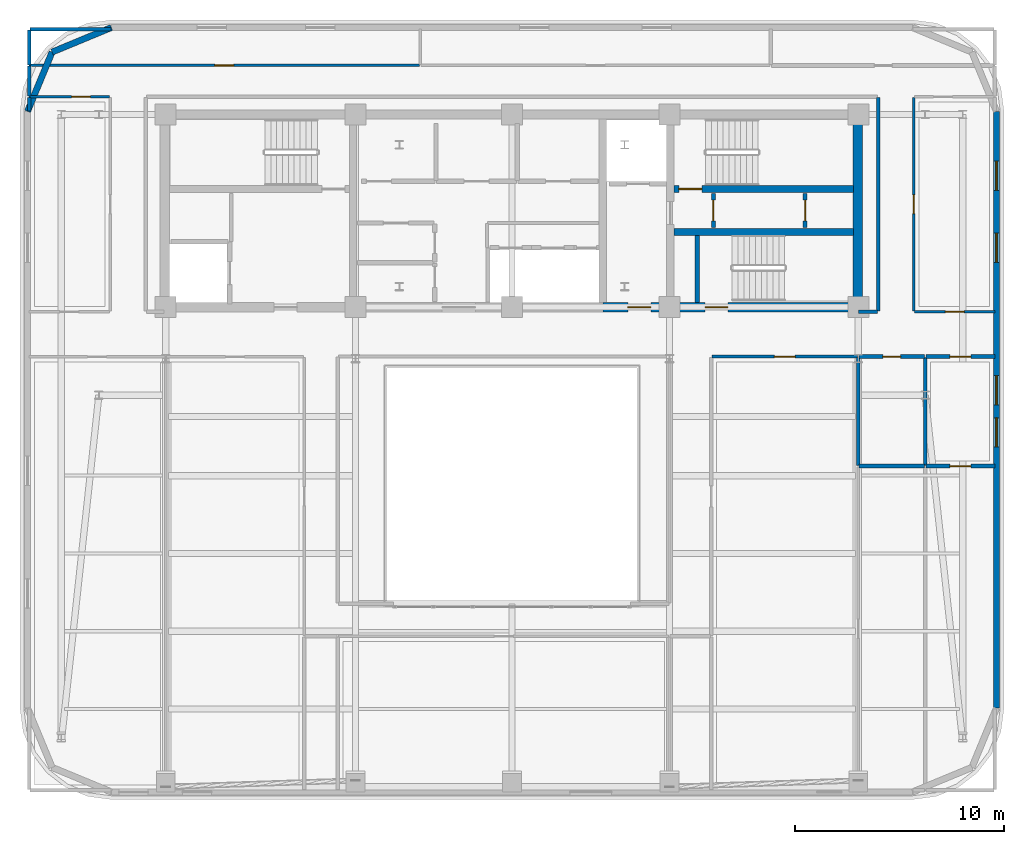
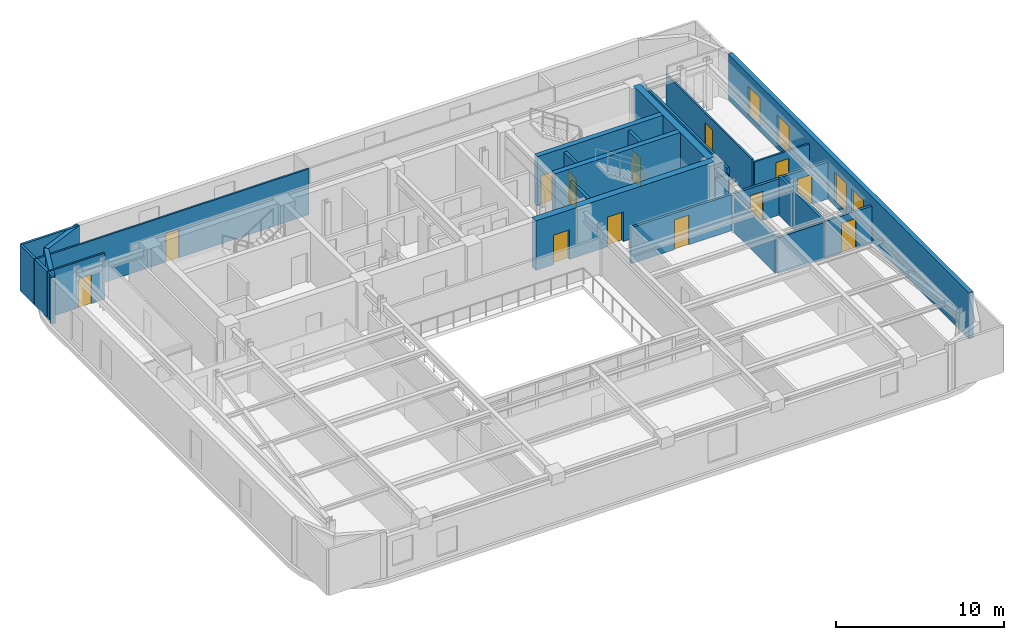
# One storey, part 8 of 13: 27 walls, 13 doors, 4 windows, 17 openings.
"""IFC4 building model written with IfcOpenShell, lengths in metres."""

from ifc_helpers import new_model, si_unit, direction, frame, frame_2d, origin, place, context, subcontext, project, spatial, rectangle, extrude, material, layer, layer_set, type_object, element, fill, save


model = new_model("IFC4")

# Units and contexts
model_context = context("Model", 3, precision=1e-05, world=origin(), true_north=direction((0.0, 1.0)))
body_context = subcontext(model_context, "Body", "Model", "MODEL_VIEW")
ifc_project = project(units=[si_unit("LENGTHUNIT", "METRE"), si_unit("AREAUNIT", "SQUARE_METRE"), si_unit("VOLUMEUNIT", "CUBIC_METRE"), si_unit("PLANEANGLEUNIT", "RADIAN"), si_unit("MASSUNIT", "GRAM", prefix="KILO")], contexts=[model_context])

# Site, building, storey
site_placement = place(None, origin())
site = spatial("IfcSite", under=ifc_project, at=site_placement, CompositionType="ELEMENT")
building_placement = place(site_placement, origin())
building = spatial("IfcBuilding", under=site, at=building_placement, Name="Zarnavel Station Tower", CompositionType="ELEMENT")
storey_placement = place(building_placement, frame((0.0, 0.0, 232.800048828125)))
storey = spatial("IfcBuildingStorey", under=building, at=storey_placement, Name="L63", CompositionType="ELEMENT", Elevation=232.800048828125)

# Wall, opening, door
ifc_material_1 = material(Name="Concrete C50/60", Category="concrete")
ifc_layer_1 = layer(ifc_material_1, 0.35009765625)
ifc_layer_set_1 = layer_set([ifc_layer_1], Name="CW_350")
wall_type_1 = type_object("IfcWallType", Name="CW_350", PredefinedType="SHEAR", material=ifc_layer_set_1)
wall_1_placement = place(storey_placement, frame((45.155029296875, 33.47998046875, 0.0), z_axis=(0.0, 0.0, 1.0), x_axis=(-1.0, 0.0, 0.0)))
wall_1 = element("IfcWall", 1, at=wall_1_placement, inside=storey, type_object=wall_type_1, Name="L63 Rear Core Shear Wall DIV-H2", PredefinedType="SHEAR", context=body_context, shape_type="SweptSolid", body=[
    extrude(rectangle(XDim=8.60009765625, YDim=0.35009765625, at=frame_2d((4.300048828125, 0.0))), origin(), (0.0, 0.0, 1.0), 3.599853515625),
])
opening_1_placement = place(wall_1_placement, frame((7.2548828125, 0.0, 0.0)))
opening_1 = element("IfcOpeningElement", 2, at=opening_1_placement, cuts=wall_1, Name="Opening FD01", PredefinedType="OPENING", context=body_context, shape_type="SweptSolid", body=[
    extrude(rectangle(XDim=1.10009765625, YDim=2.14990234375, at=frame_2d((0.550048828125, 1.074951171875))), frame((0.0, 0.18505859375, 0.0), z_axis=(0.0, -1.0, 0.0), x_axis=(1.0, 0.0, 0.0)), (0.0, 0.0, 1.0), 0.3701171875),
])
ifc_material_2 = material(Name="Painted Galvanised Steel and Hardwood Leaf", Category="steel")
door_type_1 = type_object("IfcDoorType", Name="ID_STAIR_1100", OperationType="NOTDEFINED", PredefinedType="DOOR", material=ifc_material_2)
door_1_placement = place(opening_1_placement, origin())
door_1 = element("IfcDoor", 3, at=door_1_placement, inside=storey, type_object=door_type_1, Name="L63 Stair ST2 Lobby Fire Door", OperationType="SINGLE_SWING_RIGHT", OverallHeight=2.14990234375, OverallWidth=1.10009765625, PredefinedType="DOOR", context=body_context, shape_type="SweptSolid", body=[
    extrude(rectangle(XDim=1.10009765625, YDim=2.14990234375, at=frame_2d((0.550048828125, 1.074951171875))), frame((0.0, 0.02490234375, 0.0), z_axis=(0.0, -1.0, 0.0), x_axis=(1.0, 0.0, 0.0)), (0.0, 0.0, 1.0), 0.050048828125),
])
fill(opening_1, door_1)

# Wall
wall_2_placement = place(storey_placement, frame((36.554931640625, 31.419921875, 0.0), z_axis=(0.0, 0.0, 1.0), x_axis=(1.0, 0.0, 0.0)))
element("IfcWall", 4, at=wall_2_placement, inside=storey, type_object=wall_type_1, Name="L63 Rear Core Shear Wall DIV-H3", PredefinedType="SHEAR", context=body_context, shape_type="SweptSolid", body=[
    extrude(rectangle(XDim=8.60009765625, YDim=0.35009765625, at=frame_2d((4.300048828125, 0.0))), origin(), (0.0, 0.0, 1.0), 3.599853515625),
])

# Wall, openings, doors
ifc_material_3 = material(Name="Concrete C50/60", Category="concrete")
ifc_layer_2 = layer(ifc_material_3, 0.449951171875)
ifc_layer_set_2 = layer_set([ifc_layer_2], Name="CW_450")
wall_type_2 = type_object("IfcWallType", Name="CW_450", PredefinedType="SHEAR", material=ifc_layer_set_2)
wall_3_placement = place(storey_placement, frame((45.3798828125, 27.820068359375, 0.0), z_axis=(0.0, 0.0, 1.0), x_axis=(-1.0, 0.0, 0.0)))
wall_3 = element("IfcWall", 5, at=wall_3_placement, inside=storey, type_object=wall_type_2, Name="L63 Rear Core Shear Wall S-E", PredefinedType="SHEAR", context=body_context, shape_type="SweptSolid", body=[
    extrude(rectangle(XDim=12.22998046875, YDim=0.449951171875, at=frame_2d((6.114990234375, 0.0))), origin(), (0.0, 0.0, 1.0), 3.599853515625),
])
opening_2_placement = place(wall_3_placement, frame((9.929931640625, 0.0, 0.0)))
opening_2 = element("IfcOpeningElement", 6, at=opening_2_placement, cuts=wall_3, Name="Opening FD01", PredefinedType="OPENING", context=body_context, shape_type="SweptSolid", body=[
    extrude(rectangle(XDim=1.10009765625, YDim=2.14990234375, at=frame_2d((0.550048828125, 1.074951171875))), frame((0.0, 0.23486328125, 0.0), z_axis=(0.0, -1.0, 0.0), x_axis=(1.0, 0.0, 0.0)), (0.0, 0.0, 1.0), 0.469970703125),
])
opening_3_placement = place(wall_3_placement, frame((6.22998046875, 0.0, 0.0)))
opening_3 = element("IfcOpeningElement", 7, at=opening_3_placement, cuts=wall_3, Name="Opening FD01", PredefinedType="OPENING", context=body_context, shape_type="SweptSolid", body=[
    extrude(rectangle(XDim=1.10009765625, YDim=2.14990234375, at=frame_2d((0.550048828125, 1.074951171875))), frame((0.0, 0.23486328125, 0.0), z_axis=(0.0, -1.0, 0.0), x_axis=(1.0, 0.0, 0.0)), (0.0, 0.0, 1.0), 0.469970703125),
])
door_2_placement = place(opening_2_placement, origin())
door_2 = element("IfcDoor", 8, at=door_2_placement, inside=storey, type_object=door_type_1, Name="L63 East Firefighting Lobby Door", OperationType="SINGLE_SWING_LEFT", OverallHeight=2.14990234375, OverallWidth=1.10009765625, PredefinedType="DOOR", context=body_context, shape_type="SweptSolid", body=[
    extrude(rectangle(XDim=1.10009765625, YDim=2.14990234375, at=frame_2d((0.550048828125, 1.074951171875))), frame((0.0, 0.02490234375, 0.0), z_axis=(0.0, -1.0, 0.0), x_axis=(1.0, 0.0, 0.0)), (0.0, 0.0, 1.0), 0.050048828125),
])
fill(opening_2, door_2)
door_3_placement = place(opening_3_placement, origin())
door_3 = element("IfcDoor", 9, at=door_3_placement, inside=storey, type_object=door_type_1, Name="L63 Stair ST3 Corridor Fire Door", OperationType="SINGLE_SWING_RIGHT", OverallHeight=2.14990234375, OverallWidth=1.10009765625, PredefinedType="DOOR", context=body_context, shape_type="SweptSolid", body=[
    extrude(rectangle(XDim=1.10009765625, YDim=2.14990234375, at=frame_2d((0.550048828125, 1.074951171875))), frame((0.0, 0.02490234375, 0.0), z_axis=(0.0, -1.0, 0.0), x_axis=(1.0, 0.0, 0.0)), (0.0, 0.0, 1.0), 0.050048828125),
])
fill(opening_3, door_3)

# Wall
wall_4_placement = place(storey_placement, frame((45.3798828125, 28.044921875, 0.0), z_axis=(0.0, 0.0, 1.0), x_axis=(0.0, 1.0, 0.0)))
element("IfcWall", 10, at=wall_4_placement, inside=storey, type_object=wall_type_2, Name="L63 Rear Core Shear Wall E", PredefinedType="SHEAR", context=body_context, shape_type="SweptSolid", body=[
    extrude(rectangle(XDim=8.780029296875, YDim=0.449951171875, at=frame_2d((4.39013671875, 0.0))), origin(), (0.0, 0.0, 1.0), 3.599853515625),
])

# Wall, openings, windows
ifc_material_4 = material(Name="Precast concrete C45/55 (Dark Basalt Finish)", Category="masonry")
ifc_layer_3 = layer(ifc_material_4, 0.300048828125)
ifc_layer_set_3 = layer_set([ifc_layer_3], Name="EW_BASALT_300")
wall_type_3 = type_object("IfcWallType", Name="EW_BASALT_300", PredefinedType="SOLIDWALL", material=ifc_layer_set_3)
wall_5_placement = place(storey_placement, frame((52.02001953125, 37.199951171875, 0.0), z_axis=(0.0, 0.0, 1.0), x_axis=(0.0, -1.0, 0.0)))
wall_5 = element("IfcWall", 11, at=wall_5_placement, inside=storey, type_object=wall_type_3, Name="L63 Exterior Basalt Masonry Frame Wall 03", PredefinedType="SOLIDWALL", context=body_context, shape_type="SweptSolid", body=[
    extrude(rectangle(XDim=28.599853515625, YDim=0.300048828125, at=frame_2d((14.2998046875, 0.0))), origin(), (0.0, 0.0, 1.0), 3.33984375),
])
opening_4_placement = place(wall_5_placement, frame((2.3798828125, 0.0, 0.340087890625)))
opening_4 = element("IfcOpeningElement", 12, at=opening_4_placement, cuts=wall_5, Name="Opening WN04", PredefinedType="OPENING", context=body_context, shape_type="SweptSolid", body=[
    extrude(rectangle(XDim=1.39990234375, YDim=2.10009765625, at=frame_2d((0.699951171875, 1.050048828125))), frame((0.0, 0.159912109375, 0.0), z_axis=(0.0, -1.0, 0.0), x_axis=(1.0, 0.0, 0.0)), (0.0, 0.0, 1.0), 0.320068359375),
])
opening_5_placement = place(wall_5_placement, frame((5.840087890625, 0.0, 0.340087890625)))
opening_5 = element("IfcOpeningElement", 13, at=opening_5_placement, cuts=wall_5, Name="Opening WN04", PredefinedType="OPENING", context=body_context, shape_type="SweptSolid", body=[
    extrude(rectangle(XDim=1.39990234375, YDim=2.10009765625, at=frame_2d((0.699951171875, 1.050048828125))), frame((0.0, 0.159912109375, 0.0), z_axis=(0.0, -1.0, 0.0), x_axis=(1.0, 0.0, 0.0)), (0.0, 0.0, 1.0), 0.320068359375),
])
opening_6_placement = place(wall_5_placement, frame((12.666748046875, 0.0, 0.340087890625)))
opening_6 = element("IfcOpeningElement", 14, at=opening_6_placement, cuts=wall_5, Name="Opening WN04", PredefinedType="OPENING", context=body_context, shape_type="SweptSolid", body=[
    extrude(rectangle(XDim=1.39990234375, YDim=2.10009765625, at=frame_2d((0.699951171875, 1.050048828125))), frame((0.0, 0.159912109375, 0.0), z_axis=(0.0, -1.0, 0.0), x_axis=(1.0, 0.0, 0.0)), (0.0, 0.0, 1.0), 0.320068359375),
])
opening_7_placement = place(wall_5_placement, frame((14.683349609375, 0.0, 0.340087890625)))
opening_7 = element("IfcOpeningElement", 15, at=opening_7_placement, cuts=wall_5, Name="Opening WN04", PredefinedType="OPENING", context=body_context, shape_type="SweptSolid", body=[
    extrude(rectangle(XDim=1.39990234375, YDim=2.10009765625, at=frame_2d((0.699951171875, 1.050048828125))), frame((0.0, 0.159912109375, 0.0), z_axis=(0.0, -1.0, 0.0), x_axis=(1.0, 0.0, 0.0)), (0.0, 0.0, 1.0), 0.320068359375),
])
ifc_material_5 = material(Name="Thermally Broken Black Aluminium and Low-E Dark Glass", Category="aluminium")
window_type = type_object("IfcWindowType", Name="WN_1400x2100", PartitioningType="DOUBLE_PANEL_VERTICAL", PredefinedType="WINDOW", material=ifc_material_5)
window_1_placement = place(opening_4_placement, origin())
window_1 = element("IfcWindow", 16, at=window_1_placement, inside=storey, type_object=window_type, Name="L63 Recessed Facade Window 01", OverallHeight=2.10009765625, OverallWidth=1.39990234375, PartitioningType="SINGLE_PANEL", PredefinedType="WINDOW", context=body_context, shape_type="SweptSolid", body=[
    extrude(rectangle(XDim=1.39990234375, YDim=2.10009765625, at=frame_2d((0.699951171875, 1.050048828125))), frame((0.0, 0.030029296875, 0.0), z_axis=(0.0, -1.0, 0.0), x_axis=(1.0, 0.0, 0.0)), (0.0, 0.0, 1.0), 0.06005859375),
])
fill(opening_4, window_1)
window_2_placement = place(opening_5_placement, origin())
window_2 = element("IfcWindow", 17, at=window_2_placement, inside=storey, type_object=window_type, Name="L63 Recessed Facade Window 02", OverallHeight=2.10009765625, OverallWidth=1.39990234375, PartitioningType="SINGLE_PANEL", PredefinedType="WINDOW", context=body_context, shape_type="SweptSolid", body=[
    extrude(rectangle(XDim=1.39990234375, YDim=2.10009765625, at=frame_2d((0.699951171875, 1.050048828125))), frame((0.0, 0.030029296875, 0.0), z_axis=(0.0, -1.0, 0.0), x_axis=(1.0, 0.0, 0.0)), (0.0, 0.0, 1.0), 0.06005859375),
])
fill(opening_5, window_2)
window_3_placement = place(opening_6_placement, origin())
window_3 = element("IfcWindow", 18, at=window_3_placement, inside=storey, type_object=window_type, Name="L63 Recessed Facade Window 03", OverallHeight=2.10009765625, OverallWidth=1.39990234375, PartitioningType="SINGLE_PANEL", PredefinedType="WINDOW", context=body_context, shape_type="SweptSolid", body=[
    extrude(rectangle(XDim=1.39990234375, YDim=2.10009765625, at=frame_2d((0.699951171875, 1.050048828125))), frame((0.0, 0.030029296875, 0.0), z_axis=(0.0, -1.0, 0.0), x_axis=(1.0, 0.0, 0.0)), (0.0, 0.0, 1.0), 0.06005859375),
])
fill(opening_6, window_3)
window_4_placement = place(opening_7_placement, origin())
window_4 = element("IfcWindow", 19, at=window_4_placement, inside=storey, type_object=window_type, Name="L63 Recessed Facade Window 04", OverallHeight=2.10009765625, OverallWidth=1.39990234375, PartitioningType="SINGLE_PANEL", PredefinedType="WINDOW", context=body_context, shape_type="SweptSolid", body=[
    extrude(rectangle(XDim=1.39990234375, YDim=2.10009765625, at=frame_2d((0.699951171875, 1.050048828125))), frame((0.0, 0.030029296875, 0.0), z_axis=(0.0, -1.0, 0.0), x_axis=(1.0, 0.0, 0.0)), (0.0, 0.0, 1.0), 0.06005859375),
])
fill(opening_7, window_4)

# Walls
wall_6_placement = place(storey_placement, frame((6.75732421875, 40.04248046875, 0.0), z_axis=(0.0, 0.0, 1.0), x_axis=(0.923882414032, 0.382676475685, 0.0)))
element("IfcWall", 20, at=wall_6_placement, inside=storey, type_object=wall_type_3, Name="L63 Exterior Basalt Masonry Frame Wall 07", PredefinedType="SOLIDWALL", context=body_context, shape_type="SweptSolid", body=[
    extrude(rectangle(XDim=3.076904296875, YDim=0.300048828125, at=frame_2d((1.53857421875, 0.0))), origin(), (0.0, 0.0, 1.0), 3.33984375),
])
wall_7_placement = place(storey_placement, frame((5.580078125, 37.199951171875, 0.0), z_axis=(0.0, 0.0, 1.0), x_axis=(0.382636798336, 0.92389884758, 0.0)))
element("IfcWall", 21, at=wall_7_placement, inside=storey, type_object=wall_type_3, Name="L63 Exterior Basalt Masonry Frame Wall 08", PredefinedType="SOLIDWALL", context=body_context, shape_type="SweptSolid", body=[
    extrude(rectangle(XDim=3.07666015625, YDim=0.300048828125, at=frame_2d((1.538330078125, 0.0))), origin(), (0.0, 0.0, 1.0), 3.33984375),
])

# Wall, opening, door
ifc_material_6 = material(Name="Gypsum Twin-Stud Acoustic Fire Partition", Category="concrete")
ifc_layer_4 = layer(ifc_material_6, 0.159912109375)
ifc_layer_set_4 = layer_set([ifc_layer_4], Name="PT_DEMISE_160")
wall_type_4 = type_object("IfcWallType", Name="PT_DEMISE_160", PredefinedType="PARTITIONING", material=ifc_layer_set_4)
wall_8_placement = place(storey_placement, frame((38.389892578125, 25.449951171875, 0.0), z_axis=(0.0, 0.0, 1.0), x_axis=(1.0, 0.0, 0.0)))
wall_8 = element("IfcWall", 22, at=wall_8_placement, inside=storey, type_object=wall_type_4, Name="L63 Partition COR-S-L63SPA", PredefinedType="PARTITIONING", context=body_context, shape_type="SweptSolid", body=[
    extrude(rectangle(XDim=6.97021484375, YDim=0.159912109375, at=frame_2d((3.485107421875, 0.0))), origin(), (0.0, 0.0, 1.0), 2.619873046875),
])
opening_8_placement = place(wall_8_placement, frame((2.985107421875, 0.0, 0.0)))
opening_8 = element("IfcOpeningElement", 23, at=opening_8_placement, cuts=wall_8, Name="Opening FD02", PredefinedType="OPENING", context=body_context, shape_type="SweptSolid", body=[
    extrude(rectangle(XDim=1.0, YDim=2.14990234375, at=frame_2d((0.5, 1.074951171875))), frame((0.0, 0.08984375, 0.0), z_axis=(0.0, -1.0, 0.0), x_axis=(1.0, 0.0, 0.0)), (0.0, 0.0, 1.0), 0.179931640625),
])
ifc_material_7 = material(Name="Painted Galvanised Steel and Hardwood Leaf", Category="steel")
door_type_2 = type_object("IfcDoorType", Name="ID_ENTRY_1000", OperationType="NOTDEFINED", PredefinedType="DOOR", material=ifc_material_7)
door_4_placement = place(opening_8_placement, origin())
door_4 = element("IfcDoor", 24, at=door_4_placement, inside=storey, type_object=door_type_2, Name="L63 Door COR-S-L63SPA", OperationType="SINGLE_SWING_LEFT", OverallHeight=2.14990234375, OverallWidth=1.0, PredefinedType="DOOR", context=body_context, shape_type="SweptSolid", body=[
    extrude(rectangle(XDim=1.0, YDim=2.14990234375, at=frame_2d((0.5, 1.074951171875))), frame((0.0, 0.02490234375, 0.0), z_axis=(0.0, -1.0, 0.0), x_axis=(1.0, 0.0, 0.0)), (0.0, 0.0, 1.0), 0.050048828125),
])
fill(opening_8, door_4)

# Walls
wall_9_placement = place(storey_placement, frame((45.409912109375, 27.60009765625, 0.0), z_axis=(0.0, 0.0, 1.0), x_axis=(1.0, 0.0, 0.0)))
element("IfcWall", 25, at=wall_9_placement, inside=storey, type_object=wall_type_4, Name="L63 Enclosure Wall COR-S", PredefinedType="PARTITIONING", context=body_context, shape_type="SweptSolid", body=[
    extrude(rectangle(XDim=0.91015625, YDim=0.159912109375, at=frame_2d((0.455078125, 0.0))), origin(), (0.0, 0.0, 1.0), 2.409912109375),
])
wall_10_placement = place(storey_placement, frame((46.35009765625, 27.6298828125, 0.0), z_axis=(0.0, 0.0, 1.0), x_axis=(0.0, 1.0, 0.0)))
element("IfcWall", 26, at=wall_10_placement, inside=storey, type_object=wall_type_4, Name="L63 Enclosure Wall COR-E", PredefinedType="PARTITIONING", context=body_context, shape_type="SweptSolid", body=[
    extrude(rectangle(XDim=10.240234375, YDim=0.159912109375, at=frame_2d((5.1201171875, 0.0))), origin(), (0.0, 0.0, 1.0), 2.820068359375),
])
wall_11_placement = place(storey_placement, frame((5.659912109375, 37.929931640625, 0.0), z_axis=(0.0, 0.0, 1.0), x_axis=(0.0, 1.0, 0.0)))
element("IfcWall", 27, at=wall_11_placement, inside=storey, type_object=wall_type_4, Name="L63 Enclosure Wall COR-N", PredefinedType="PARTITIONING", context=body_context, shape_type="SweptSolid", body=[
    extrude(rectangle(XDim=1.440185546875, YDim=0.159912109375, at=frame_2d((0.72021484375, 0.0))), origin(), (0.0, 0.0, 1.0), 3.33984375),
])
wall_12_placement = place(storey_placement, frame((5.659912109375, 37.22998046875, 0.0), z_axis=(0.0, 0.0, 1.0), x_axis=(0.0, 1.0, 0.0)))
element("IfcWall", 28, at=wall_12_placement, inside=storey, type_object=wall_type_4, Name="L63 Enclosure Wall FNW", PredefinedType="PARTITIONING", context=body_context, shape_type="SweptSolid", body=[
    extrude(rectangle(XDim=0.64013671875, YDim=0.159912109375, at=frame_2d((0.320068359375, 0.0))), origin(), (0.0, 0.0, 1.0), 3.33984375),
])
wall_13_placement = place(storey_placement, frame((5.68994140625, 41.139892578125, 0.0), z_axis=(0.0, 0.0, 1.0), x_axis=(1.0, 0.0, 0.0)))
element("IfcWall", 29, at=wall_13_placement, inside=storey, type_object=wall_type_4, Name="L63 Enclosure Wall NLIB", PredefinedType="PARTITIONING", context=body_context, shape_type="SweptSolid", body=[
    extrude(rectangle(XDim=3.880126953125, YDim=0.159912109375, at=frame_2d((1.93994140625, 0.0))), origin(), (0.0, 0.0, 1.0), 3.33984375),
])
wall_14_placement = place(storey_placement, frame((5.659912109375, 39.429931640625, 0.0), z_axis=(0.0, 0.0, 1.0), x_axis=(0.0, 1.0, 0.0)))
element("IfcWall", 30, at=wall_14_placement, inside=storey, type_object=wall_type_4, Name="L63 Enclosure Wall NLIB", PredefinedType="PARTITIONING", context=body_context, shape_type="SweptSolid", body=[
    extrude(rectangle(XDim=1.68017578125, YDim=0.159912109375, at=frame_2d((0.840087890625, 0.0))), origin(), (0.0, 0.0, 1.0), 3.33984375),
])

# Wall, opening, door
ifc_material_8 = material(Name="Gypsum Metal-Stud Interior Partition", Category="concrete")
ifc_layer_5 = layer(ifc_material_8, 0.1201171875)
ifc_layer_set_5 = layer_set([ifc_layer_5], Name="PT_ROOM_120")
wall_type_5 = type_object("IfcWallType", Name="PT_ROOM_120", PredefinedType="PARTITIONING", material=ifc_layer_set_5)
wall_15_placement = place(storey_placement, frame((48.090087890625, 27.60009765625, 0.0), z_axis=(0.0, 0.0, 1.0), x_axis=(1.0, 0.0, 0.0)))
wall_15 = element("IfcWall", 31, at=wall_15_placement, inside=storey, type_object=wall_type_5, Name="L63 Partition COR-S-FNE", PredefinedType="PARTITIONING", context=body_context, shape_type="SweptSolid", body=[
    extrude(rectangle(XDim=3.849853515625, YDim=0.1201171875, at=frame_2d((1.9248046875, 0.0))), origin(), (0.0, 0.0, 1.0), 2.669921875),
])
opening_9_placement = place(wall_15_placement, frame((1.47509765625, 0.0, 0.0)))
opening_9 = element("IfcOpeningElement", 32, at=opening_9_placement, cuts=wall_15, Name="Opening ID01", PredefinedType="OPENING", context=body_context, shape_type="SweptSolid", body=[
    extrude(rectangle(XDim=0.89990234375, YDim=2.10009765625, at=frame_2d((0.449951171875, 1.050048828125))), frame((0.0, 0.070068359375, 0.0), z_axis=(0.0, -1.0, 0.0), x_axis=(1.0, 0.0, 0.0)), (0.0, 0.0, 1.0), 0.14013671875),
])
ifc_material_9 = material(Name="Painted Galvanised Steel and Hardwood Leaf", Category="steel")
door_type_3 = type_object("IfcDoorType", Name="ID_ROOM_900", OperationType="NOTDEFINED", PredefinedType="DOOR", material=ifc_material_9)
door_5_placement = place(opening_9_placement, origin())
door_5 = element("IfcDoor", 33, at=door_5_placement, inside=storey, type_object=door_type_3, Name="L63 Door COR-S-FNE", OperationType="SINGLE_SWING_RIGHT", OverallHeight=2.10009765625, OverallWidth=0.89990234375, PredefinedType="DOOR", context=body_context, shape_type="SweptSolid", body=[
    extrude(rectangle(XDim=0.89990234375, YDim=2.10009765625, at=frame_2d((0.449951171875, 1.050048828125))), frame((0.0, 0.02490234375, 0.0), z_axis=(0.0, -1.0, 0.0), x_axis=(1.0, 0.0, 0.0)), (0.0, 0.0, 1.0), 0.050048828125),
])
fill(opening_9, door_5)

wall_16_placement = place(storey_placement, frame((48.050048828125, 27.639892578125, 0.0), z_axis=(0.0, 0.0, 1.0), x_axis=(0.0, 1.0, 0.0)))
wall_16 = element("IfcWall", 34, at=wall_16_placement, inside=storey, type_object=wall_type_5, Name="L63 Partition COR-E-FNE", PredefinedType="PARTITIONING", context=body_context, shape_type="SweptSolid", body=[
    extrude(rectangle(XDim=10.22021484375, YDim=0.1201171875, at=frame_2d((5.110107421875, 0.0))), origin(), (0.0, 0.0, 1.0), 2.820068359375),
])
opening_10_placement = place(wall_16_placement, frame((4.659912109375, 0.0, 0.0)))
opening_10 = element("IfcOpeningElement", 35, at=opening_10_placement, cuts=wall_16, Name="Opening ID01", PredefinedType="OPENING", context=body_context, shape_type="SweptSolid", body=[
    extrude(rectangle(XDim=0.89990234375, YDim=2.10009765625, at=frame_2d((0.449951171875, 1.050048828125))), frame((0.0, 0.070068359375, 0.0), z_axis=(0.0, -1.0, 0.0), x_axis=(1.0, 0.0, 0.0)), (0.0, 0.0, 1.0), 0.14013671875),
])
door_6_placement = place(opening_10_placement, origin())
door_6 = element("IfcDoor", 36, at=door_6_placement, inside=storey, type_object=door_type_3, Name="L63 Door COR-E-FNE", OperationType="SINGLE_SWING_RIGHT", OverallHeight=2.10009765625, OverallWidth=0.89990234375, PredefinedType="DOOR", context=body_context, shape_type="SweptSolid", body=[
    extrude(rectangle(XDim=0.89990234375, YDim=2.10009765625, at=frame_2d((0.449951171875, 1.050048828125))), frame((0.0, 0.02490234375, 0.0), z_axis=(0.0, -1.0, 0.0), x_axis=(1.0, 0.0, 0.0)), (0.0, 0.0, 1.0), 0.050048828125),
])
fill(opening_10, door_6)

wall_17_placement = place(storey_placement, frame((5.659912109375, 37.89990234375, 0.0), z_axis=(0.0, 0.0, 1.0), x_axis=(1.0, 0.0, 0.0)))
wall_17 = element("IfcWall", 37, at=wall_17_placement, inside=storey, type_object=wall_type_5, Name="L63 Partition COR-N-FNW", PredefinedType="PARTITIONING", context=body_context, shape_type="SweptSolid", body=[
    extrude(rectangle(XDim=3.85009765625, YDim=0.1201171875, at=frame_2d((1.925048828125, 0.0))), origin(), (0.0, 0.0, 1.0), 3.33984375),
])
opening_11_placement = place(wall_17_placement, frame((2.03125, 0.0, 0.0)))
opening_11 = element("IfcOpeningElement", 38, at=opening_11_placement, cuts=wall_17, Name="Opening ID01", PredefinedType="OPENING", context=body_context, shape_type="SweptSolid", body=[
    extrude(rectangle(XDim=0.89990234375, YDim=2.10009765625, at=frame_2d((0.449951171875, 1.050048828125))), frame((0.0, 0.070068359375, 0.0), z_axis=(0.0, -1.0, 0.0), x_axis=(1.0, 0.0, 0.0)), (0.0, 0.0, 1.0), 0.14013671875),
])
door_7_placement = place(opening_11_placement, origin())
door_7 = element("IfcDoor", 39, at=door_7_placement, inside=storey, type_object=door_type_3, Name="L63 Door COR-N-FNW", OperationType="SINGLE_SWING_LEFT", OverallHeight=2.10009765625, OverallWidth=0.89990234375, PredefinedType="DOOR", context=body_context, shape_type="SweptSolid", body=[
    extrude(rectangle(XDim=0.89990234375, YDim=2.10009765625, at=frame_2d((0.449951171875, 1.050048828125))), frame((0.0, 0.02490234375, 0.0), z_axis=(0.0, -1.0, 0.0), x_axis=(1.0, 0.0, 0.0)), (0.0, 0.0, 1.0), 0.050048828125),
])
fill(opening_11, door_7)

wall_18_placement = place(storey_placement, frame((5.659912109375, 39.39990234375, 0.0), z_axis=(0.0, 0.0, 1.0), x_axis=(1.0, 0.0, 0.0)))
wall_18 = element("IfcWall", 40, at=wall_18_placement, inside=storey, type_object=wall_type_5, Name="L63 Partition COR-N-NLIB", PredefinedType="PARTITIONING", context=body_context, shape_type="SweptSolid", body=[
    extrude(rectangle(XDim=18.7001953125, YDim=0.1201171875, at=frame_2d((9.35009765625, 0.0))), origin(), (0.0, 0.0, 1.0), 3.33984375),
])
opening_12_placement = place(wall_18_placement, frame((8.89990234375, 0.0, 0.0)))
opening_12 = element("IfcOpeningElement", 41, at=opening_12_placement, cuts=wall_18, Name="Opening ID01", PredefinedType="OPENING", context=body_context, shape_type="SweptSolid", body=[
    extrude(rectangle(XDim=0.89990234375, YDim=2.10009765625, at=frame_2d((0.449951171875, 1.050048828125))), frame((0.0, 0.070068359375, 0.0), z_axis=(0.0, -1.0, 0.0), x_axis=(1.0, 0.0, 0.0)), (0.0, 0.0, 1.0), 0.14013671875),
])
door_8_placement = place(opening_12_placement, origin())
door_8 = element("IfcDoor", 42, at=door_8_placement, inside=storey, type_object=door_type_3, Name="L63 Door COR-N-NLIB", OperationType="SINGLE_SWING_LEFT", OverallHeight=2.10009765625, OverallWidth=0.89990234375, PredefinedType="DOOR", context=body_context, shape_type="SweptSolid", body=[
    extrude(rectangle(XDim=0.89990234375, YDim=2.10009765625, at=frame_2d((0.449951171875, 1.050048828125))), frame((0.0, 0.02490234375, 0.0), z_axis=(0.0, -1.0, 0.0), x_axis=(1.0, 0.0, 0.0)), (0.0, 0.0, 1.0), 0.050048828125),
])
fill(opening_12, door_8)

# Wall
ifc_material_10 = material(Name="Precast concrete C45/55 (Fire Shaft Blockwork)", Category="masonry")
ifc_layer_6 = layer(ifc_material_10, 0.199951171875)
ifc_layer_set_6 = layer_set([ifc_layer_6], Name="PT_SHAFT_200")
wall_type_6 = type_object("IfcWallType", Name="PT_SHAFT_200", PredefinedType="PARTITIONING", material=ifc_layer_set_6)
wall_19_placement = place(storey_placement, frame((37.679931640625, 28.044921875, 0.0), z_axis=(0.0, 0.0, 1.0), x_axis=(0.0, 1.0, 0.0)))
element("IfcWall", 43, at=wall_19_placement, inside=storey, type_object=wall_type_6, Name="L63 Stair ST3 West Shaft Wall", PredefinedType="PARTITIONING", context=body_context, shape_type="SweptSolid", body=[
    extrude(rectangle(XDim=3.205078125, YDim=0.199951171875, at=frame_2d((1.6025390625, 0.0))), origin(), (0.0, 0.0, 1.0), 2.719970703125),
])

# Wall, opening, door
wall_20_placement = place(storey_placement, frame((38.449951171875, 31.639892578125, 0.0), z_axis=(0.0, 0.0, 1.0), x_axis=(0.0, 1.0, 0.0)))
wall_20 = element("IfcWall", 44, at=wall_20_placement, inside=storey, type_object=wall_type_6, Name="L63 Partition ESTV-CEA", PredefinedType="PARTITIONING", context=body_context, shape_type="SweptSolid", body=[
    extrude(rectangle(XDim=1.6201171875, YDim=0.199951171875, at=frame_2d((0.81005859375, 0.0))), origin(), (0.0, 0.0, 1.0), 3.33984375),
])
opening_13_placement = place(wall_20_placement, frame((0.31005859375, 0.0, 0.0)))
opening_13 = element("IfcOpeningElement", 45, at=opening_13_placement, cuts=wall_20, Name="Opening FD02", PredefinedType="OPENING", context=body_context, shape_type="SweptSolid", body=[
    extrude(rectangle(XDim=1.0, YDim=2.14990234375, at=frame_2d((0.5, 1.074951171875))), frame((0.0, 0.10986328125, 0.0), z_axis=(0.0, -1.0, 0.0), x_axis=(1.0, 0.0, 0.0)), (0.0, 0.0, 1.0), 0.219970703125),
])
door_9_placement = place(opening_13_placement, origin())
door_9 = element("IfcDoor", 46, at=door_9_placement, inside=storey, type_object=door_type_2, Name="L63 Door ESTV-CEA", OperationType="SINGLE_SWING_LEFT", OverallHeight=2.14990234375, OverallWidth=1.0, PredefinedType="DOOR", context=body_context, shape_type="SweptSolid", body=[
    extrude(rectangle(XDim=1.0, YDim=2.14990234375, at=frame_2d((0.5, 1.074951171875))), frame((0.0, 0.02490234375, 0.0), z_axis=(0.0, -1.0, 0.0), x_axis=(1.0, 0.0, 0.0)), (0.0, 0.0, 1.0), 0.050048828125),
])
fill(opening_13, door_9)

wall_21_placement = place(storey_placement, frame((42.85009765625, 31.639892578125, 0.0), z_axis=(0.0, 0.0, 1.0), x_axis=(0.0, 1.0, 0.0)))
wall_21 = element("IfcWall", 47, at=wall_21_placement, inside=storey, type_object=wall_type_6, Name="L63 Partition CEA-CEB", PredefinedType="PARTITIONING", context=body_context, shape_type="SweptSolid", body=[
    extrude(rectangle(XDim=1.6201171875, YDim=0.199951171875, at=frame_2d((0.81005859375, 0.0))), origin(), (0.0, 0.0, 1.0), 3.33984375),
])
opening_14_placement = place(wall_21_placement, frame((0.31005859375, 0.0, 0.0)))
opening_14 = element("IfcOpeningElement", 48, at=opening_14_placement, cuts=wall_21, Name="Opening FD02", PredefinedType="OPENING", context=body_context, shape_type="SweptSolid", body=[
    extrude(rectangle(XDim=1.0, YDim=2.14990234375, at=frame_2d((0.5, 1.074951171875))), frame((0.0, 0.10986328125, 0.0), z_axis=(0.0, -1.0, 0.0), x_axis=(1.0, 0.0, 0.0)), (0.0, 0.0, 1.0), 0.219970703125),
])
door_10_placement = place(opening_14_placement, origin())
door_10 = element("IfcDoor", 49, at=door_10_placement, inside=storey, type_object=door_type_2, Name="L63 Door CEA-CEB", OperationType="SINGLE_SWING_RIGHT", OverallHeight=2.14990234375, OverallWidth=1.0, PredefinedType="DOOR", context=body_context, shape_type="SweptSolid", body=[
    extrude(rectangle(XDim=1.0, YDim=2.14990234375, at=frame_2d((0.5, 1.074951171875))), frame((0.0, 0.02490234375, 0.0), z_axis=(0.0, -1.0, 0.0), x_axis=(1.0, 0.0, 0.0)), (0.0, 0.0, 1.0), 0.050048828125),
])
fill(opening_14, door_10)

ifc_material_11 = material(Name="Moisture-Resistant Plumbing Chase Wall", Category="concrete")
ifc_layer_7 = layer(ifc_material_11, 0.179931640625)
ifc_layer_set_7 = layer_set([ifc_layer_7], Name="PW_PLUMB_180")
wall_type_7 = type_object("IfcWallType", Name="PW_PLUMB_180", PredefinedType="PLUMBINGWALL", material=ifc_layer_set_7)
wall_22_placement = place(storey_placement, frame((45.43994140625, 25.449951171875, 0.0), z_axis=(0.0, 0.0, 1.0), x_axis=(1.0, 0.0, 0.0)))
wall_22 = element("IfcWall", 50, at=wall_22_placement, inside=storey, type_object=wall_type_7, Name="L63 Partition COR-S-L63WCA", PredefinedType="PLUMBINGWALL", context=body_context, shape_type="SweptSolid", body=[
    extrude(rectangle(XDim=3.1201171875, YDim=0.179931640625, at=frame_2d((1.56005859375, 0.0))), origin(), (0.0, 0.0, 1.0), 2.619873046875),
])
opening_15_placement = place(wall_22_placement, frame((1.135009765625, 0.0, 0.0)))
opening_15 = element("IfcOpeningElement", 51, at=opening_15_placement, cuts=wall_22, Name="Opening ID02", PredefinedType="OPENING", context=body_context, shape_type="SweptSolid", body=[
    extrude(rectangle(XDim=0.85009765625, YDim=2.10009765625, at=frame_2d((0.425048828125, 1.050048828125))), frame((0.0, 0.099853515625, 0.0), z_axis=(0.0, -1.0, 0.0), x_axis=(1.0, 0.0, 0.0)), (0.0, 0.0, 1.0), 0.199951171875),
])
ifc_material_12 = material(Name="Painted Galvanised Steel and Hardwood Leaf", Category="steel")
door_type_4 = type_object("IfcDoorType", Name="ID_BATH_850", OperationType="NOTDEFINED", PredefinedType="DOOR", material=ifc_material_12)
door_11_placement = place(opening_15_placement, origin())
door_11 = element("IfcDoor", 52, at=door_11_placement, inside=storey, type_object=door_type_4, Name="L63 Door COR-S-L63WCA", OperationType="SINGLE_SWING_RIGHT", OverallHeight=2.10009765625, OverallWidth=0.85009765625, PredefinedType="DOOR", context=body_context, shape_type="SweptSolid", body=[
    extrude(rectangle(XDim=0.85009765625, YDim=2.10009765625, at=frame_2d((0.425048828125, 1.050048828125))), frame((0.0, 0.02490234375, 0.0), z_axis=(0.0, -1.0, 0.0), x_axis=(1.0, 0.0, 0.0)), (0.0, 0.0, 1.0), 0.050048828125),
])
fill(opening_15, door_11)

wall_23_placement = place(storey_placement, frame((48.639892578125, 25.449951171875, 0.0), z_axis=(0.0, 0.0, 1.0), x_axis=(1.0, 0.0, 0.0)))
wall_23 = element("IfcWall", 53, at=wall_23_placement, inside=storey, type_object=wall_type_7, Name="L63 Partition COR-S-L63KIT", PredefinedType="PLUMBINGWALL", context=body_context, shape_type="SweptSolid", body=[
    extrude(rectangle(XDim=3.300048828125, YDim=0.179931640625, at=frame_2d((1.64990234375, 0.0))), origin(), (0.0, 0.0, 1.0), 2.669921875),
])
opening_16_placement = place(wall_23_placement, frame((1.14990234375, 0.0, 0.0)))
opening_16 = element("IfcOpeningElement", 54, at=opening_16_placement, cuts=wall_23, Name="Opening FD02", PredefinedType="OPENING", context=body_context, shape_type="SweptSolid", body=[
    extrude(rectangle(XDim=1.0, YDim=2.14990234375, at=frame_2d((0.5, 1.074951171875))), frame((0.0, 0.099853515625, 0.0), z_axis=(0.0, -1.0, 0.0), x_axis=(1.0, 0.0, 0.0)), (0.0, 0.0, 1.0), 0.199951171875),
])
door_12_placement = place(opening_16_placement, origin())
door_12 = element("IfcDoor", 55, at=door_12_placement, inside=storey, type_object=door_type_2, Name="L63 Door COR-S-L63KIT", OperationType="SINGLE_SWING_LEFT", OverallHeight=2.14990234375, OverallWidth=1.0, PredefinedType="DOOR", context=body_context, shape_type="SweptSolid", body=[
    extrude(rectangle(XDim=1.0, YDim=2.14990234375, at=frame_2d((0.5, 1.074951171875))), frame((0.0, 0.02490234375, 0.0), z_axis=(0.0, -1.0, 0.0), x_axis=(1.0, 0.0, 0.0)), (0.0, 0.0, 1.0), 0.050048828125),
])
fill(opening_16, door_12)

# Walls
wall_24_placement = place(storey_placement, frame((45.39990234375, 20.239990234375, 0.0), z_axis=(0.0, 0.0, 1.0), x_axis=(0.0, 1.0, 0.0)))
element("IfcWall", 56, at=wall_24_placement, inside=storey, type_object=wall_type_7, Name="L63 Partition L63SPA-L63WCA", PredefinedType="PLUMBINGWALL", context=body_context, shape_type="SweptSolid", body=[
    extrude(rectangle(XDim=5.169921875, YDim=0.179931640625, at=frame_2d((2.5849609375, 0.0))), origin(), (0.0, 0.0, 1.0), 2.619873046875),
])
wall_25_placement = place(storey_placement, frame((45.43994140625, 20.199951171875, 0.0), z_axis=(0.0, 0.0, 1.0), x_axis=(1.0, 0.0, 0.0)))
element("IfcWall", 57, at=wall_25_placement, inside=storey, type_object=wall_type_7, Name="L63 Partition L63WCA-L63LIN", PredefinedType="PLUMBINGWALL", context=body_context, shape_type="SweptSolid", body=[
    extrude(rectangle(XDim=3.1201171875, YDim=0.179931640625, at=frame_2d((1.56005859375, 0.0))), origin(), (0.0, 0.0, 1.0), 2.619873046875),
])
wall_26_placement = place(storey_placement, frame((48.60009765625, 20.239990234375, 0.0), z_axis=(0.0, 0.0, 1.0), x_axis=(0.0, 1.0, 0.0)))
element("IfcWall", 58, at=wall_26_placement, inside=storey, type_object=wall_type_7, Name="L63 Partition L63WCA-L63KIT", PredefinedType="PLUMBINGWALL", context=body_context, shape_type="SweptSolid", body=[
    extrude(rectangle(XDim=5.169921875, YDim=0.179931640625, at=frame_2d((2.5849609375, 0.0))), origin(), (0.0, 0.0, 1.0), 2.820068359375),
])

# Wall, opening, door
wall_27_placement = place(storey_placement, frame((48.639892578125, 20.199951171875, 0.0), z_axis=(0.0, 0.0, 1.0), x_axis=(1.0, 0.0, 0.0)))
wall_27 = element("IfcWall", 59, at=wall_27_placement, inside=storey, type_object=wall_type_7, Name="L63 Partition L63KIT-L63STR", PredefinedType="PLUMBINGWALL", context=body_context, shape_type="SweptSolid", body=[
    extrude(rectangle(XDim=3.300048828125, YDim=0.179931640625, at=frame_2d((1.64990234375, 0.0))), origin(), (0.0, 0.0, 1.0), 2.669921875),
])
opening_17_placement = place(wall_27_placement, frame((1.14990234375, 0.0, 0.0)))
opening_17 = element("IfcOpeningElement", 60, at=opening_17_placement, cuts=wall_27, Name="Opening FD02", PredefinedType="OPENING", context=body_context, shape_type="SweptSolid", body=[
    extrude(rectangle(XDim=1.0, YDim=2.14990234375, at=frame_2d((0.5, 1.074951171875))), frame((0.0, 0.099853515625, 0.0), z_axis=(0.0, -1.0, 0.0), x_axis=(1.0, 0.0, 0.0)), (0.0, 0.0, 1.0), 0.199951171875),
])
door_13_placement = place(opening_17_placement, origin())
door_13 = element("IfcDoor", 61, at=door_13_placement, inside=storey, type_object=door_type_2, Name="L63 Door L63KIT-L63STR", OperationType="SINGLE_SWING_LEFT", OverallHeight=2.14990234375, OverallWidth=1.0, PredefinedType="DOOR", context=body_context, shape_type="SweptSolid", body=[
    extrude(rectangle(XDim=1.0, YDim=2.14990234375, at=frame_2d((0.5, 1.074951171875))), frame((0.0, 0.02490234375, 0.0), z_axis=(0.0, -1.0, 0.0), x_axis=(1.0, 0.0, 0.0)), (0.0, 0.0, 1.0), 0.050048828125),
])
fill(opening_17, door_13)

save(model, "model.ifc")
